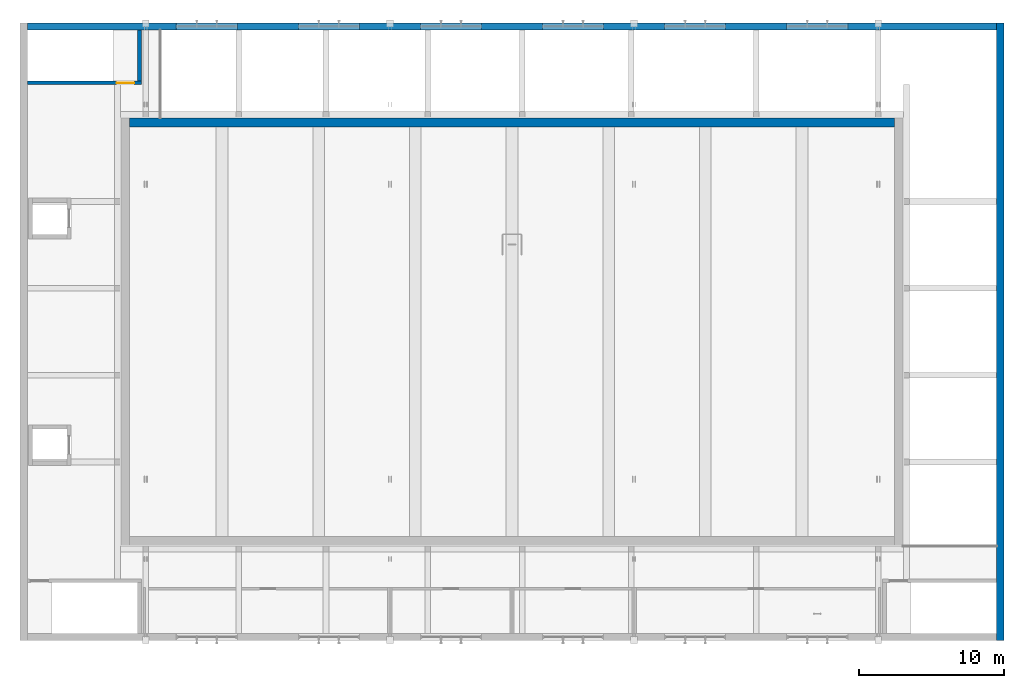
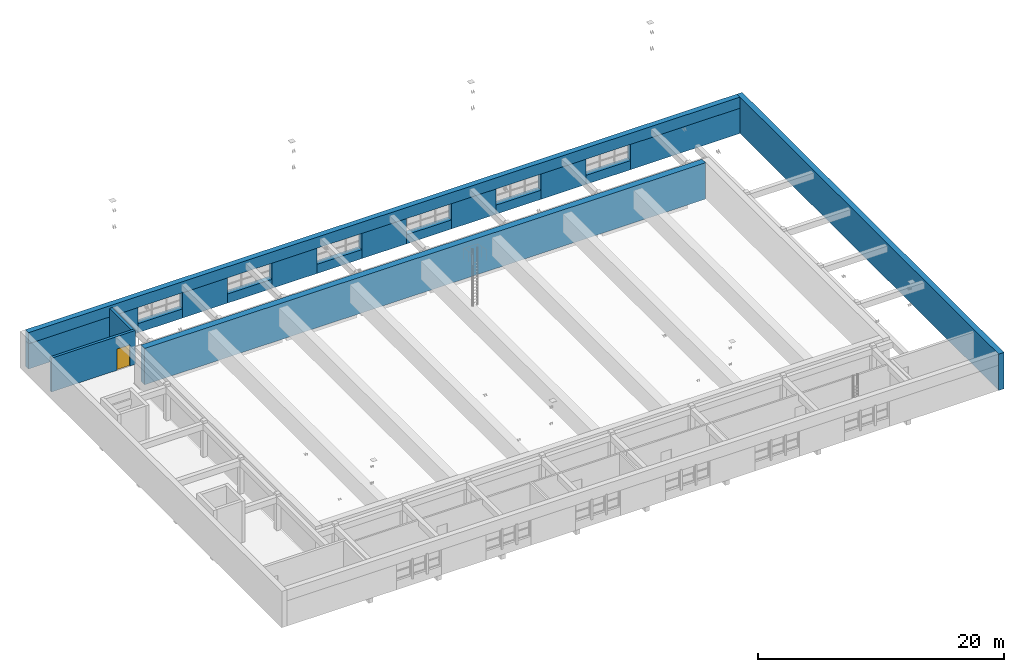
# One storey, part 11 of 28: 18 walls, 1 door, 1 opening.
"""IFC4 building model written with IfcOpenShell, lengths in metres."""

from ifc_helpers import new_model, si_unit, direction, frame, frame_2d, origin, place, context, subcontext, project, spatial, rectangle, extrude, material, layer, layer_set, type_object, element, fill, save


model = new_model("IFC4")

# Units and contexts
model_context = context("Model", 3, precision=1e-05, world=origin(), true_north=direction((0.0, 1.0)))
body_context = subcontext(model_context, "Body", "Model", "MODEL_VIEW")
ifc_project = project(units=[si_unit("LENGTHUNIT", "METRE"), si_unit("AREAUNIT", "SQUARE_METRE"), si_unit("VOLUMEUNIT", "CUBIC_METRE"), si_unit("PLANEANGLEUNIT", "RADIAN"), si_unit("MASSUNIT", "GRAM", prefix="KILO")], contexts=[model_context])

# Site, building, storey
site_placement = place(None, origin())
site = spatial("IfcSite", under=ifc_project, at=site_placement, CompositionType="ELEMENT")
building_placement = place(site_placement, origin())
building = spatial("IfcBuilding", under=site, at=building_placement, Name="Ljudholm Concert House", CompositionType="ELEMENT")
storey_placement = place(building_placement, frame((0.0, 0.0, 19.199951171875)))
storey = spatial("IfcBuildingStorey", under=building, at=storey_placement, Name="L04", CompositionType="ELEMENT", Elevation=19.199951171875)

# Wall, opening, door
ifc_material_1 = material(Name="Concrete 6,500 psi", Category="concrete")
ifc_layer_1 = layer(ifc_material_1, 0.25)
ifc_layer_set_1 = layer_set([ifc_layer_1], Name="Concrete 6,500 psi")
wall_type_1 = type_object("IfcWallType", Name="RC WALL 250", PredefinedType="SOLIDWALL", material=ifc_layer_set_1)
wall_1_placement = place(storey_placement, frame((29.449951171875, 92.52490234375, 0.0), z_axis=(0.0, 0.0, 1.0), x_axis=(1.0, 0.0, 0.0)))
wall_1 = element("IfcWall", 1, at=wall_1_placement, inside=storey, type_object=wall_type_1, Name="Stair enclosure wall EH2", PredefinedType="SOLIDWALL", context=body_context, shape_type="SweptSolid", body=[
    extrude(rectangle(XDim=7.85009765625, YDim=0.25, at=frame_2d((3.925048828125, 0.0))), origin(), (0.0, 0.0, 1.0), 3.35009765625),
])
opening_placement = place(wall_1_placement, frame((6.14990234375, 0.0, 0.0)))
opening = element("IfcOpeningElement", 2, at=opening_placement, cuts=wall_1, Name="Opening D-H04-008", PredefinedType="OPENING", context=body_context, shape_type="SweptSolid", body=[
    extrude(rectangle(XDim=1.199951171875, YDim=2.10009765625, at=frame_2d((0.60009765625, 1.050048828125))), frame((0.0, 0.135009765625, 0.0), z_axis=(0.0, -1.0, 0.0), x_axis=(1.0, 0.0, 0.0)), (0.0, 0.0, 1.0), 0.27001953125),
])
ifc_material_2 = material(Name="Hollow metal door in steel frame", Category="steel")
door_type = type_object("IfcDoorType", Name="SWING DOOR 1200x2100", OperationType="SINGLE_SWING_LEFT", PredefinedType="DOOR", material=ifc_material_2)
door_placement = place(opening_placement, origin())
door = element("IfcDoor", 3, at=door_placement, inside=storey, type_object=door_type, Name="Exit stair EH2 door", OperationType="SINGLE_SWING_RIGHT", OverallHeight=2.10009765625, OverallWidth=1.199951171875, PredefinedType="DOOR", context=body_context, shape_type="SweptSolid", body=[
    extrude(rectangle(XDim=1.199951171875, YDim=2.10009765625, at=frame_2d((0.60009765625, 1.050048828125))), frame((0.0, 0.02490234375, 0.0), z_axis=(0.0, -1.0, 0.0), x_axis=(1.0, 0.0, 0.0)), (0.0, 0.0, 1.0), 0.050048828125),
])
fill(opening, door)

# Walls
wall_2_placement = place(storey_placement, frame((37.175048828125, 92.64990234375, 0.0), z_axis=(0.0, 0.0, 1.0), x_axis=(0.0, 1.0, 0.0)))
element("IfcWall", 4, at=wall_2_placement, inside=storey, type_object=wall_type_1, Name="Stair enclosure wall EH2", PredefinedType="SOLIDWALL", context=body_context, shape_type="SweptSolid", body=[
    extrude(rectangle(XDim=3.5, YDim=0.25, at=frame_2d((1.75, 0.0))), origin(), (0.0, 0.0, 1.0), 3.35009765625),
])
ifc_material_3 = material(Name="Concrete 6,500 psi", Category="concrete")
ifc_layer_2 = layer(ifc_material_3, 0.5)
ifc_layer_set_2 = layer_set([ifc_layer_2], Name="Concrete 6,500 psi")
wall_type_2 = type_object("IfcWallType", Name="RC WALL 500", PredefinedType="SOLIDWALL", material=ifc_layer_set_2)
wall_3_placement = place(storey_placement, frame((96.39990234375, 54.14990234375, 0.0), z_axis=(0.0, 0.0, 1.0), x_axis=(0.0, 1.0, 0.0)))
element("IfcWall", 5, at=wall_3_placement, inside=storey, type_object=wall_type_2, Name="Outer wall E", PredefinedType="SOLIDWALL", context=body_context, shape_type="SweptSolid", body=[
    extrude(rectangle(XDim=42.5, YDim=0.5, at=frame_2d((21.25, 0.0))), origin(), (0.0, 0.0, 1.0), 3.60009765625),
])
wall_4_placement = place(storey_placement, frame((29.449951171875, 96.39990234375, 0.0), z_axis=(0.0, 0.0, 1.0), x_axis=(1.0, 0.0, 0.0)))
element("IfcWall", 6, at=wall_4_placement, inside=storey, type_object=wall_type_2, Name="Outer wall N", PredefinedType="SOLIDWALL", context=body_context, shape_type="SweptSolid", body=[
    extrude(rectangle(XDim=10.25, YDim=0.5, at=frame_2d((5.125, 0.0))), origin(), (0.0, 0.0, 1.0), 2.5),
])
wall_5_placement = place(storey_placement, frame((43.89990234375, 96.39990234375, 0.0), z_axis=(0.0, 0.0, 1.0), x_axis=(1.0, 0.0, 0.0)))
element("IfcWall", 7, at=wall_5_placement, inside=storey, type_object=wall_type_2, Name="Outer wall N", PredefinedType="SOLIDWALL", context=body_context, shape_type="SweptSolid", body=[
    extrude(rectangle(XDim=4.2001953125, YDim=0.5, at=frame_2d((2.10009765625, 0.0))), origin(), (0.0, 0.0, 1.0), 2.5),
])
for number, where, z_axis, x_axis, name in (
    (8, (52.300048828125, 96.39990234375, 0.0), (0.0, 0.0, 1.0), (1.0, 0.0, 0.0), "Outer wall N"),
    (9, (60.699951171875, 96.39990234375, 0.0), (0.0, 0.0, 1.0), (1.0, 0.0, 0.0), "Outer wall N"),
    (10, (69.10009765625, 96.39990234375, 0.0), (0.0, 0.0, 1.0), (1.0, 0.0, 0.0), "Outer wall N"),
    (11, (77.5, 96.39990234375, 0.0), (0.0, 0.0, 1.0), (1.0, 0.0, 0.0), "Outer wall N"),
):
    element("IfcWall", number, at=place(storey_placement, frame(where, z_axis=z_axis, x_axis=x_axis)), inside=storey, type_object=wall_type_2, Name=name, PredefinedType="SOLIDWALL", context=body_context, shape_type="SweptSolid", body=[
        extrude(rectangle(XDim=4.199951171875, YDim=0.5, at=frame_2d((2.10009765625, 0.0))), origin(), (0.0, 0.0, 1.0), 2.5),
    ])
wall_6_placement = place(storey_placement, frame((85.89990234375, 96.39990234375, 0.0), z_axis=(0.0, 0.0, 1.0), x_axis=(1.0, 0.0, 0.0)))
element("IfcWall", 12, at=wall_6_placement, inside=storey, type_object=wall_type_2, Name="Outer wall N", PredefinedType="SOLIDWALL", context=body_context, shape_type="SweptSolid", body=[
    extrude(rectangle(XDim=10.25, YDim=0.5, at=frame_2d((5.125, 0.0))), origin(), (0.0, 0.0, 1.0), 2.5),
])
for number, where, z_axis, x_axis, name in (
    (13, (39.699951171875, 96.39990234375, 0.0), (0.0, 0.0, 1.0), (1.0, 0.0, 0.0), "Outer wall N"),
    (14, (48.10009765625, 96.39990234375, 0.0), (0.0, 0.0, 1.0), (1.0, 0.0, 0.0), "Outer wall N"),
    (15, (56.5, 96.39990234375, 0.0), (0.0, 0.0, 1.0), (1.0, 0.0, 0.0), "Outer wall N"),
):
    element("IfcWall", number, at=place(storey_placement, frame(where, z_axis=z_axis, x_axis=x_axis)), inside=storey, type_object=wall_type_2, Name=name, PredefinedType="SOLIDWALL", context=body_context, shape_type="SweptSolid", body=[
        extrude(rectangle(XDim=4.199951171875, YDim=0.5, at=frame_2d((2.10009765625, 0.0))), origin(), (0.0, 0.0, 1.0), 0.900146484375),
    ])
wall_7_placement = place(storey_placement, frame((64.89990234375, 96.39990234375, 0.0), z_axis=(0.0, 0.0, 1.0), x_axis=(1.0, 0.0, 0.0)))
element("IfcWall", 16, at=wall_7_placement, inside=storey, type_object=wall_type_2, Name="Outer wall N", PredefinedType="SOLIDWALL", context=body_context, shape_type="SweptSolid", body=[
    extrude(rectangle(XDim=4.2001953125, YDim=0.5, at=frame_2d((2.10009765625, 0.0))), origin(), (0.0, 0.0, 1.0), 0.900146484375),
])
for number, where, z_axis, x_axis, name in (
    (17, (73.300048828125, 96.39990234375, 0.0), (0.0, 0.0, 1.0), (1.0, 0.0, 0.0), "Outer wall N"),
    (18, (81.699951171875, 96.39990234375, 0.0), (0.0, 0.0, 1.0), (1.0, 0.0, 0.0), "Outer wall N"),
):
    element("IfcWall", number, at=place(storey_placement, frame(where, z_axis=z_axis, x_axis=x_axis)), inside=storey, type_object=wall_type_2, Name=name, PredefinedType="SOLIDWALL", context=body_context, shape_type="SweptSolid", body=[
        extrude(rectangle(XDim=4.199951171875, YDim=0.5, at=frame_2d((2.10009765625, 0.0))), origin(), (0.0, 0.0, 1.0), 0.900146484375),
    ])
wall_8_placement = place(storey_placement, frame((29.449951171875, 96.39990234375, 2.5), z_axis=(0.0, 0.0, 1.0), x_axis=(1.0, 0.0, 0.0)))
element("IfcWall", 19, at=wall_8_placement, inside=storey, type_object=wall_type_2, Name="Outer wall N", PredefinedType="SOLIDWALL", context=body_context, shape_type="SweptSolid", body=[
    extrude(rectangle(XDim=66.699951171875, YDim=0.5, at=frame_2d((33.35009765625, 0.0))), origin(), (0.0, 0.0, 1.0), 1.10009765625),
])
ifc_material_4 = material(Name="Concrete 6,500 psi", Category="concrete")
ifc_layer_3 = layer(ifc_material_4, 0.60009765625)
ifc_layer_set_3 = layer_set([ifc_layer_3], Name="Concrete 6,500 psi")
wall_type_3 = type_object("IfcWallType", Name="RC WALL 600", PredefinedType="SOLIDWALL", material=ifc_layer_set_3)
wall_9_placement = place(storey_placement, frame((36.5, 89.800048828125, 0.0), z_axis=(0.0, 0.0, 1.0), x_axis=(1.0, 0.0, 0.0)))
element("IfcWall", 20, at=wall_9_placement, inside=storey, type_object=wall_type_3, Name="Inner box wall N", PredefinedType="SOLIDWALL", context=body_context, shape_type="SweptSolid", body=[
    extrude(rectangle(XDim=52.60009765625, YDim=0.60009765625, at=frame_2d((26.300048828125, 0.0))), origin(), (0.0, 0.0, 1.0), 3.60009765625),
])

save(model, "model.ifc")
